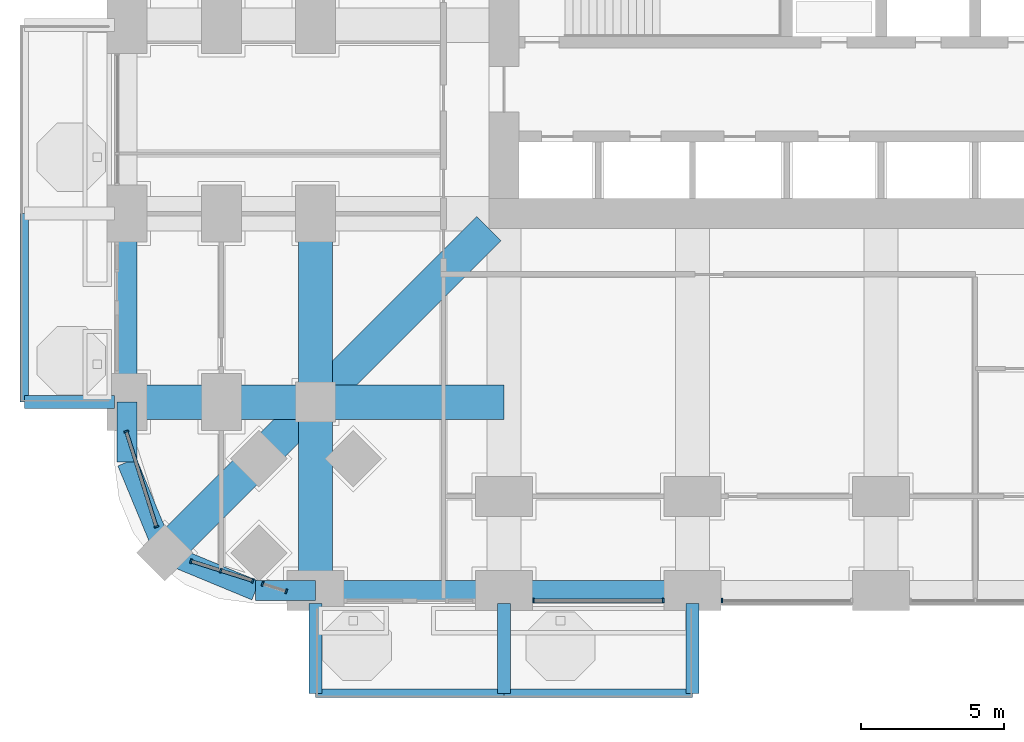
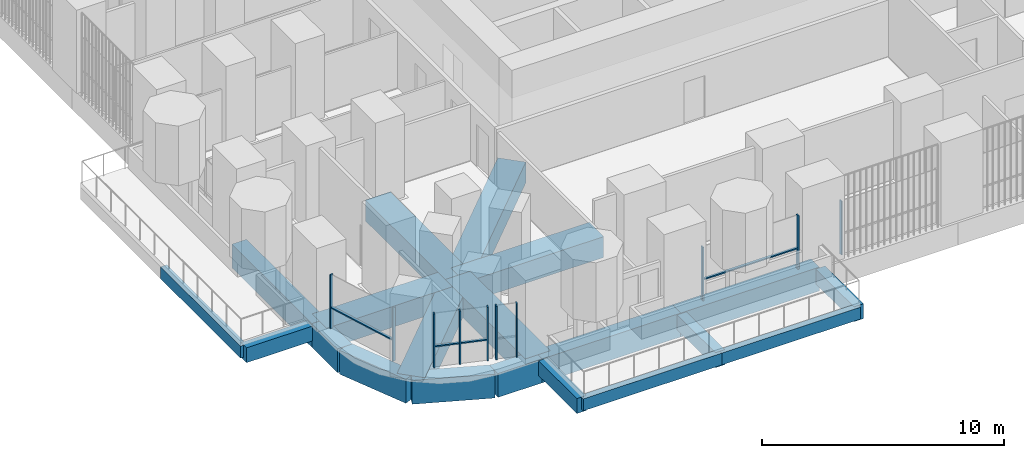
# One storey, part 2 of 25: 20 beams, 14 members, 5 elements without a shape of their own.
"""IFC4 building model written with IfcOpenShell, lengths in metres."""

from ifc_helpers import new_model, si_unit, direction, frame, origin, origin_2d, place, context, subcontext, project, spatial, rectangle, extrude, material, material_profile, profile_set, type_object, element, aggregate, save


model = new_model("IFC4")

# Units and contexts
model_context = context("Model", 3, precision=1e-05, world=origin(), true_north=direction((0.0, 1.0)))
body_context = subcontext(model_context, "Body", "Model", "MODEL_VIEW")
ifc_project = project(units=[si_unit("LENGTHUNIT", "METRE"), si_unit("AREAUNIT", "SQUARE_METRE"), si_unit("VOLUMEUNIT", "CUBIC_METRE"), si_unit("PLANEANGLEUNIT", "RADIAN"), si_unit("MASSUNIT", "GRAM", prefix="KILO")], contexts=[model_context])

# Site, building, storey
site_placement = place(None, origin())
site = spatial("IfcSite", under=ifc_project, at=site_placement, CompositionType="ELEMENT")
building_placement = place(site_placement, origin())
building = spatial("IfcBuilding", under=site, at=building_placement, Name="Cobogo Forest Laboratory Tower", CompositionType="ELEMENT")
storey_placement = place(building_placement, frame((0.0, 0.0, 21.300048828125)))
storey = spatial("IfcBuildingStorey", under=building, at=storey_placement, Name="L04", CompositionType="ELEMENT", Elevation=21.300048828125)

# Beams
ifc_material_1 = material(Name="Concrete HA-40 (C40/50)", Category="concrete")
ifc_material_profile_1 = material_profile(ifc_material_1, rectangle(XDim=0.449951171875, YDim=0.75, at=origin_2d()), Name="RC 450x750")
ifc_profile_set_1 = profile_set([ifc_material_profile_1], Name="Concrete HA-40 (C40/50)")
beam_type_1 = type_object("IfcBeamType", Name="Balcony cantilever beam 450x750", PredefinedType="BEAM", material=ifc_profile_set_1)
for number, where, z_axis, x_axis, name in (
    (1, (6.60009765625, -0.449951171875, -0.625), (0.0, -1.0, 0.0), (1.0, 0.0, 0.0), "CB1 BAL-S1-C1 L04"),
    (2, (13.199951171875, -0.449951171875, -0.625), (0.0, -1.0, 0.0), (1.0, 0.0, 0.0), "CB1 BAL-S1-C2 L04"),
    (3, (19.800048828125, -0.449951171875, -0.625), (0.0, -1.0, 0.0), (1.0, 0.0, 0.0), "CB1 BAL-S1-C3 L04"),
    (4, (-0.449951171875, 6.60009765625, -0.625), (-1.0, 0.0, 0.0), (0.0, -1.0, 0.0), "CB1 BAL-W1-C1 L04"),
):
    element("IfcBeam", number, at=place(storey_placement, frame(where, z_axis=z_axis, x_axis=x_axis)), inside=storey, type_object=beam_type_1, Name=name, PredefinedType="BEAM", context=body_context, shape_type="SweptSolid", body=[
        extrude(rectangle(XDim=0.449951171875, YDim=0.75, at=origin_2d()), origin(), (0.0, 0.0, 1.0), 3.150146484375),
    ])
ifc_material_profile_2 = material_profile(ifc_material_1, rectangle(XDim=0.300048828125, YDim=0.60009765625, at=origin_2d()), Name="RC 300x600")
ifc_profile_set_2 = profile_set([ifc_material_profile_2], Name="Concrete HA-40 (C40/50)")
beam_type_2 = type_object("IfcBeamType", Name="Balcony edge beam 300x600", PredefinedType="BEAM", material=ifc_profile_set_2)
beam_1_placement = place(storey_placement, frame((6.60009765625, -3.60009765625, -0.550048828125), z_axis=(1.0, 0.0, 0.0), x_axis=(0.0, 1.0, 0.0)))
element("IfcBeam", 5, at=beam_1_placement, inside=storey, type_object=beam_type_2, Name="BB1 BAL-S1-T1 L04", PredefinedType="BEAM", context=body_context, shape_type="SweptSolid", body=[
    extrude(rectangle(XDim=0.300048828125, YDim=0.60009765625, at=origin_2d()), origin(), (0.0, 0.0, 1.0), 6.599853515625),
])
beam_2_placement = place(storey_placement, frame((13.199951171875, -3.60009765625, -0.550048828125), z_axis=(1.0, 0.0, 0.0), x_axis=(0.0, 1.0, 0.0)))
element("IfcBeam", 6, at=beam_2_placement, inside=storey, type_object=beam_type_2, Name="BB1 BAL-S1-T2 L04", PredefinedType="BEAM", context=body_context, shape_type="SweptSolid", body=[
    extrude(rectangle(XDim=0.300048828125, YDim=0.60009765625, at=origin_2d()), origin(), (0.0, 0.0, 1.0), 6.60009765625),
])
beam_3_placement = place(storey_placement, frame((-3.60009765625, 6.60009765625, -0.550048828125), z_axis=(0.0, 1.0, 0.0), x_axis=(-1.0, 0.0, 0.0)))
element("IfcBeam", 7, at=beam_3_placement, inside=storey, type_object=beam_type_2, Name="BB1 BAL-W1-T1 L04", PredefinedType="BEAM", context=body_context, shape_type="SweptSolid", body=[
    extrude(rectangle(XDim=0.300048828125, YDim=0.60009765625, at=origin_2d()), origin(), (0.0, 0.0, 1.0), 6.599853515625),
])
ifc_material_profile_3 = material_profile(ifc_material_1, rectangle(XDim=1.199951171875, YDim=1.050048828125, at=origin_2d()), Name="RC 1200x1050")
ifc_profile_set_3 = profile_set([ifc_material_profile_3], Name="Concrete HA-40 (C40/50)")
beam_type_3 = type_object("IfcBeamType", Name="Laboratory floor wide beam 1200x1050", PredefinedType="BEAM", material=ifc_profile_set_3)
beam_4_placement = place(storey_placement, frame((6.60009765625, 0.0, -0.824951171875), z_axis=(0.0, 1.0, 0.0), x_axis=(-1.0, 0.0, 0.0)))
element("IfcBeam", 8, at=beam_4_placement, inside=storey, type_object=beam_type_3, Name="RB1 G-SW-XF L04", PredefinedType="BEAM", context=body_context, shape_type="SweptSolid", body=[
    extrude(rectangle(XDim=1.199951171875, YDim=1.050048828125, at=origin_2d()), origin(), (0.0, 0.0, 1.0), 6.60009765625),
])
beam_5_placement = place(storey_placement, frame((6.60009765625, 6.60009765625, -0.824951171875), z_axis=(0.0, 1.0, 0.0), x_axis=(-1.0, 0.0, 0.0)))
element("IfcBeam", 9, at=beam_5_placement, inside=storey, type_object=beam_type_3, Name="RB1 G-SW-XC L04", PredefinedType="BEAM", context=body_context, shape_type="SweptSolid", body=[
    extrude(rectangle(XDim=1.199951171875, YDim=1.050048828125, at=origin_2d()), origin(), (0.0, 0.0, 1.0), 6.599853515625),
])
beam_6_placement = place(storey_placement, frame((0.0, 6.60009765625, -0.824951171875), z_axis=(1.0, 0.0, 0.0), x_axis=(0.0, 1.0, 0.0)))
element("IfcBeam", 10, at=beam_6_placement, inside=storey, type_object=beam_type_3, Name="RB1 G-SW-YF L04", PredefinedType="BEAM", context=body_context, shape_type="SweptSolid", body=[
    extrude(rectangle(XDim=1.199951171875, YDim=1.050048828125, at=origin_2d()), origin(), (0.0, 0.0, 1.0), 6.60009765625),
])
beam_7_placement = place(storey_placement, frame((6.60009765625, 6.60009765625, -0.824951171875), z_axis=(1.0, 0.0, 0.0), x_axis=(0.0, 1.0, 0.0)))
element("IfcBeam", 11, at=beam_7_placement, inside=storey, type_object=beam_type_3, Name="RB1 G-SW-YC L04", PredefinedType="BEAM", context=body_context, shape_type="SweptSolid", body=[
    extrude(rectangle(XDim=1.199951171875, YDim=1.050048828125, at=origin_2d()), origin(), (0.0, 0.0, 1.0), 6.599853515625),
])
beam_8_placement = place(storey_placement, frame((1.318115234375, 1.318115234375, -0.824951171875), z_axis=(0.707106781187, 0.707106781187, 0.0), x_axis=(-0.707106781187, 0.707106781187, 0.0)))
element("IfcBeam", 12, at=beam_8_placement, inside=storey, type_object=beam_type_3, Name="RB1 G-SW-D1 L04", PredefinedType="BEAM", context=body_context, shape_type="SweptSolid", body=[
    extrude(rectangle(XDim=1.199951171875, YDim=1.050048828125, at=origin_2d()), origin(), (0.0, 0.0, 1.0), 7.469970703125),
])
beam_9_placement = place(storey_placement, frame((6.60009765625, 6.60009765625, -0.824951171875), z_axis=(0.707106781187, 0.707106781187, 0.0), x_axis=(-0.707106781187, 0.707106781187, 0.0)))
element("IfcBeam", 13, at=beam_9_placement, inside=storey, type_object=beam_type_3, Name="RB1 G-SW-D2 L04", PredefinedType="BEAM", context=body_context, shape_type="SweptSolid", body=[
    extrude(rectangle(XDim=1.199951171875, YDim=1.050048828125, at=origin_2d()), origin(), (0.0, 0.0, 1.0), 8.59130859375),
])

# Curtain wall, members
ifc_material_2 = material(Name="Aluminium curtain wall", Category="aluminium")
curtain_wall_type = type_object("IfcCurtainWallType", Name="CW-1 unitised curtain wall, clear glazing, laboratory floors zones A and B", PredefinedType="USERDEFINED", material=ifc_material_2)
curtain_wall_1_placement = place(storey_placement, origin())
curtain_wall_1 = element("IfcCurtainWall", 14, at=curtain_wall_1_placement, inside=storey, type_object=curtain_wall_type, Name="Curtain wall 02 L04", ObjectType="UNITISED CURTAIN WALL", PredefinedType="USERDEFINED")
ifc_material_3 = material(Name="Aluminium mullion", Category="aluminium")
ifc_material_profile_4 = material_profile(ifc_material_3, rectangle(XDim=0.06005859375, YDim=0.159912109375, at=origin_2d()), Name="AL 60x160")
ifc_profile_set_4 = profile_set([ifc_material_profile_4], Name="Aluminium mullion")
member_type_1 = type_object("IfcMemberType", Name="MU-1 aluminium mullion 60x160", PredefinedType="MULLION", material=ifc_profile_set_4)
member_1_placement = place(storey_placement, frame((14.22998046875, -0.35009765625, 0.0), z_axis=(0.0, 0.0, 1.0), x_axis=(1.0, 0.0, 0.0)))
member_1 = element("IfcMember", 15, at=member_1_placement, type_object=member_type_1, Name="CW-1 mullion 1", PredefinedType="MULLION", context=body_context, shape_type="SweptSolid", body=[
    extrude(rectangle(XDim=0.06005859375, YDim=0.159912109375, at=origin_2d()), origin(), (0.0, 0.0, 1.0), 2.699951171875),
])
member_2_placement = place(storey_placement, frame((18.77001953125, -0.35009765625, 0.0), z_axis=(0.0, 0.0, 1.0), x_axis=(1.0, 0.0, 0.0)))
member_2 = element("IfcMember", 16, at=member_2_placement, type_object=member_type_1, Name="CW-1 mullion 2", PredefinedType="MULLION", context=body_context, shape_type="SweptSolid", body=[
    extrude(rectangle(XDim=0.06005859375, YDim=0.159912109375, at=origin_2d()), origin(), (0.0, 0.0, 1.0), 2.699951171875),
])

# Curtain wall, member
curtain_wall_2_placement = place(storey_placement, origin())
curtain_wall_2 = element("IfcCurtainWall", 17, at=curtain_wall_2_placement, inside=storey, type_object=curtain_wall_type, Name="Curtain wall 03 L04", ObjectType="UNITISED CURTAIN WALL", PredefinedType="USERDEFINED")
member_3_placement = place(storey_placement, frame((20.830078125, -0.35009765625, 0.0), z_axis=(0.0, 0.0, 1.0), x_axis=(1.0, 0.0, 0.0)))
member_3 = element("IfcMember", 18, at=member_3_placement, type_object=member_type_1, Name="CW-1 mullion 1", PredefinedType="MULLION", context=body_context, shape_type="SweptSolid", body=[
    extrude(rectangle(XDim=0.06005859375, YDim=0.159912109375, at=origin_2d()), origin(), (0.0, 0.0, 1.0), 2.699951171875),
])
aggregate(curtain_wall_2, [member_3])

# Curtain wall, members
curtain_wall_3_placement = place(storey_placement, origin())
curtain_wall_3 = element("IfcCurtainWall", 19, at=curtain_wall_3_placement, inside=storey, type_object=curtain_wall_type, Name="Curtain wall 32 L04", ObjectType="UNITISED CURTAIN WALL", PredefinedType="USERDEFINED")
member_4_placement = place(storey_placement, frame((-0.025146484375, 5.5712890625, 0.0), z_axis=(0.0, 0.0, 1.0), x_axis=(0.301135433696, -0.953581381201, 0.0)))
member_4 = element("IfcMember", 20, at=member_4_placement, type_object=member_type_1, Name="CW-1 mullion 1", PredefinedType="MULLION", context=body_context, shape_type="SweptSolid", body=[
    extrude(rectangle(XDim=0.06005859375, YDim=0.159912109375, at=origin_2d()), origin(), (0.0, 0.0, 1.0), 2.699951171875),
])
member_5_placement = place(storey_placement, frame((1.02734375, 2.23876953125, 0.0), z_axis=(0.0, 0.0, 1.0), x_axis=(0.301135433696, -0.953581381201, 0.0)))
member_5 = element("IfcMember", 21, at=member_5_placement, type_object=member_type_1, Name="CW-1 mullion 2", PredefinedType="MULLION", context=body_context, shape_type="SweptSolid", body=[
    extrude(rectangle(XDim=0.06005859375, YDim=0.159912109375, at=origin_2d()), origin(), (0.0, 0.0, 1.0), 2.699951171875),
])

curtain_wall_4_placement = place(storey_placement, origin())
curtain_wall_4 = element("IfcCurtainWall", 22, at=curtain_wall_4_placement, inside=storey, type_object=curtain_wall_type, Name="Curtain wall 33 L04", ObjectType="UNITISED CURTAIN WALL", PredefinedType="USERDEFINED")
member_6_placement = place(storey_placement, frame((2.23876953125, 1.02734375, 0.0), z_axis=(0.0, 0.0, 1.0), x_axis=(0.953581409645, -0.301135343623, 0.0)))
member_6 = element("IfcMember", 23, at=member_6_placement, type_object=member_type_1, Name="CW-1 mullion 1", PredefinedType="MULLION", context=body_context, shape_type="SweptSolid", body=[
    extrude(rectangle(XDim=0.06005859375, YDim=0.159912109375, at=origin_2d()), origin(), (0.0, 0.0, 1.0), 2.699951171875),
])
member_7_placement = place(storey_placement, frame((3.27587890625, 0.69970703125, 0.0), z_axis=(0.0, 0.0, 1.0), x_axis=(0.953581409645, -0.301135343623, 0.0)))
member_7 = element("IfcMember", 24, at=member_7_placement, type_object=member_type_1, Name="CW-1 mullion 2", PredefinedType="MULLION", context=body_context, shape_type="SweptSolid", body=[
    extrude(rectangle(XDim=0.06005859375, YDim=0.159912109375, at=origin_2d()), origin(), (0.0, 0.0, 1.0), 2.699951171875),
])
member_8_placement = place(storey_placement, frame((4.39697265625, 0.345703125, 0.0), z_axis=(0.0, 0.0, 1.0), x_axis=(0.953581409645, -0.301135343623, 0.0)))
member_8 = element("IfcMember", 25, at=member_8_placement, type_object=member_type_1, Name="CW-1 mullion 3", PredefinedType="MULLION", context=body_context, shape_type="SweptSolid", body=[
    extrude(rectangle(XDim=0.06005859375, YDim=0.159912109375, at=origin_2d()), origin(), (0.0, 0.0, 1.0), 2.699951171875),
])

curtain_wall_5_placement = place(storey_placement, origin())
curtain_wall_5 = element("IfcCurtainWall", 26, at=curtain_wall_5_placement, inside=storey, type_object=curtain_wall_type, Name="Curtain wall 34 L04", ObjectType="UNITISED CURTAIN WALL", PredefinedType="USERDEFINED")
member_9_placement = place(storey_placement, frame((4.74658203125, 0.2353515625, 0.0), z_axis=(0.0, 0.0, 1.0), x_axis=(0.953581406818, -0.301135352577, 0.0)))
member_9 = element("IfcMember", 27, at=member_9_placement, type_object=member_type_1, Name="CW-1 mullion 1", PredefinedType="MULLION", context=body_context, shape_type="SweptSolid", body=[
    extrude(rectangle(XDim=0.06005859375, YDim=0.159912109375, at=origin_2d()), origin(), (0.0, 0.0, 1.0), 2.699951171875),
])
member_10_placement = place(storey_placement, frame((5.5712890625, -0.025146484375, 0.0), z_axis=(0.0, 0.0, 1.0), x_axis=(0.953581406818, -0.301135352577, 0.0)))
member_10 = element("IfcMember", 28, at=member_10_placement, type_object=member_type_1, Name="CW-1 mullion 2", PredefinedType="MULLION", context=body_context, shape_type="SweptSolid", body=[
    extrude(rectangle(XDim=0.06005859375, YDim=0.159912109375, at=origin_2d()), origin(), (0.0, 0.0, 1.0), 2.699951171875),
])
aggregate(curtain_wall_5, [member_9, member_10])

# Beams
ifc_material_profile_5 = material_profile(ifc_material_1, rectangle(XDim=0.699951171875, YDim=1.199951171875, at=origin_2d()), Name="RC 700x1200")
ifc_profile_set_5 = profile_set([ifc_material_profile_5], Name="Concrete HA-40 (C40/50)")
beam_type_4 = type_object("IfcBeamType", Name="Perimeter edge beam 700x1200", PredefinedType="BEAM", material=ifc_profile_set_5)
beam_10_placement = place(storey_placement, frame((6.60009765625, 0.0, -0.900146484375), z_axis=(1.0, 0.0, 0.0), x_axis=(0.0, 1.0, 0.0)))
element("IfcBeam", 29, at=beam_10_placement, inside=storey, type_object=beam_type_4, Name="EB1 E-S1 L04", PredefinedType="BEAM", context=body_context, shape_type="SweptSolid", body=[
    extrude(rectangle(XDim=0.699951171875, YDim=1.199951171875, at=origin_2d()), origin(), (0.0, 0.0, 1.0), 6.599853515625),
])
beam_11_placement = place(storey_placement, frame((13.199951171875, 0.0, -0.900146484375), z_axis=(1.0, 0.0, 0.0), x_axis=(0.0, 1.0, 0.0)))
element("IfcBeam", 30, at=beam_11_placement, inside=storey, type_object=beam_type_4, Name="EB1 E-S2 L04", PredefinedType="BEAM", context=body_context, shape_type="SweptSolid", body=[
    extrude(rectangle(XDim=0.699951171875, YDim=1.199951171875, at=origin_2d()), origin(), (0.0, 0.0, 1.0), 6.60009765625),
])
beam_12_placement = place(storey_placement, frame((0.0, 6.60009765625, -0.900146484375), z_axis=(0.0, 1.0, 0.0), x_axis=(-1.0, 0.0, 0.0)))
element("IfcBeam", 31, at=beam_12_placement, inside=storey, type_object=beam_type_4, Name="EB1 E-W1 L04", PredefinedType="BEAM", context=body_context, shape_type="SweptSolid", body=[
    extrude(rectangle(XDim=0.699951171875, YDim=1.199951171875, at=origin_2d()), origin(), (0.0, 0.0, 1.0), 6.599853515625),
])
beam_13_placement = place(storey_placement, frame((6.60009765625, 0.0, -0.900146484375), z_axis=(-1.0, 0.0, 0.0), x_axis=(0.0, -1.0, 0.0)))
element("IfcBeam", 32, at=beam_13_placement, inside=storey, type_object=beam_type_4, Name="EB1 E-SWS1 L04", PredefinedType="BEAM", context=body_context, shape_type="SweptSolid", body=[
    extrude(rectangle(XDim=0.699951171875, YDim=1.199951171875, at=origin_2d()), origin(), (0.0, 0.0, 1.0), 2.10009765625),
])
beam_14_placement = place(storey_placement, frame((4.5, 0.0, -0.900146484375), z_axis=(-0.923865631356, 0.382716990999, 0.0), x_axis=(-0.382716990999, -0.923865631356, 0.0)))
element("IfcBeam", 33, at=beam_14_placement, inside=storey, type_object=beam_type_4, Name="EB1 E-SWS2 L04", PredefinedType="BEAM", context=body_context, shape_type="SweptSolid", body=[
    extrude(rectangle(XDim=0.699951171875, YDim=1.199951171875, at=origin_2d()), origin(), (0.0, 0.0, 1.0), 3.444091796875),
])
beam_15_placement = place(storey_placement, frame((0.0, 6.60009765625, -0.900146484375), z_axis=(0.0, -1.0, 0.0), x_axis=(1.0, 0.0, 0.0)))
element("IfcBeam", 34, at=beam_15_placement, inside=storey, type_object=beam_type_4, Name="EB1 E-SWW1 L04", PredefinedType="BEAM", context=body_context, shape_type="SweptSolid", body=[
    extrude(rectangle(XDim=0.699951171875, YDim=1.199951171875, at=origin_2d()), origin(), (0.0, 0.0, 1.0), 2.10009765625),
])
beam_16_placement = place(storey_placement, frame((0.0, 4.5, -0.900146484375), z_axis=(0.382716990999, -0.923865631356, 0.0), x_axis=(0.923865631356, 0.382716990999, 0.0)))
element("IfcBeam", 35, at=beam_16_placement, inside=storey, type_object=beam_type_4, Name="EB1 E-SWW2 L04", PredefinedType="BEAM", context=body_context, shape_type="SweptSolid", body=[
    extrude(rectangle(XDim=0.699951171875, YDim=1.199951171875, at=origin_2d()), origin(), (0.0, 0.0, 1.0), 3.444091796875),
])

# Member
ifc_material_4 = material(Name="Aluminium transom", Category="aluminium")
ifc_material_profile_6 = material_profile(ifc_material_4, rectangle(XDim=0.1201171875, YDim=0.06005859375, at=origin_2d()), Name="AL 60x120")
ifc_profile_set_6 = profile_set([ifc_material_profile_6], Name="Aluminium transom")
member_type_2 = type_object("IfcMemberType", Name="TR-1 aluminium transom 60x120", PredefinedType="USERDEFINED", material=ifc_profile_set_6)
member_11_placement = place(storey_placement, frame((14.260009765625, -0.35009765625, 1.050048828125), z_axis=(1.0, 0.0, 0.0), x_axis=(0.0, 1.0, 0.0)))
member_11 = element("IfcMember", 36, at=member_11_placement, type_object=member_type_2, Name="CW-1 transom 1.1", ObjectType="TRANSOM", PredefinedType="USERDEFINED", context=body_context, shape_type="SweptSolid", body=[
    extrude(rectangle(XDim=0.1201171875, YDim=0.06005859375, at=origin_2d()), origin(), (0.0, 0.0, 1.0), 4.47998046875),
])

aggregate(curtain_wall_1, [member_1, member_2, member_11])

member_12_placement = place(storey_placement, frame((-0.01611328125, 5.542724609375, 1.050048828125), z_axis=(0.301155179686, -0.953575145308, 0.0), x_axis=(0.953575145308, 0.301155179686, 0.0)))
member_12 = element("IfcMember", 37, at=member_12_placement, type_object=member_type_2, Name="CW-1 transom 1.1", ObjectType="TRANSOM", PredefinedType="USERDEFINED", context=body_context, shape_type="SweptSolid", body=[
    extrude(rectangle(XDim=0.1201171875, YDim=0.06005859375, at=origin_2d()), origin(), (0.0, 0.0, 1.0), 3.434814453125),
])

aggregate(curtain_wall_3, [member_4, member_5, member_12])

member_13_placement = place(storey_placement, frame((2.267333984375, 1.018310546875, 1.050048828125), z_axis=(0.953553938535, -0.301222320394, 0.0), x_axis=(0.301222320394, 0.953553938535, 0.0)))
member_13 = element("IfcMember", 38, at=member_13_placement, type_object=member_type_2, Name="CW-1 transom 1.1", ObjectType="TRANSOM", PredefinedType="USERDEFINED", context=body_context, shape_type="SweptSolid", body=[
    extrude(rectangle(XDim=0.1201171875, YDim=0.06005859375, at=origin_2d()), origin(), (0.0, 0.0, 1.0), 1.02783203125),
])

member_14_placement = place(storey_placement, frame((3.304443359375, 0.690673828125, 1.050048828125), z_axis=(0.953595892327, -0.301089478624, 0.0), x_axis=(0.301089478624, 0.953595892327, 0.0)))
member_14 = element("IfcMember", 39, at=member_14_placement, type_object=member_type_2, Name="CW-1 transom 2.1", ObjectType="TRANSOM", PredefinedType="USERDEFINED", context=body_context, shape_type="SweptSolid", body=[
    extrude(rectangle(XDim=0.1201171875, YDim=0.06005859375, at=origin_2d()), origin(), (0.0, 0.0, 1.0), 1.11572265625),
])

aggregate(curtain_wall_4, [member_6, member_7, member_8, member_13, member_14])

save(model, "model.ifc")
